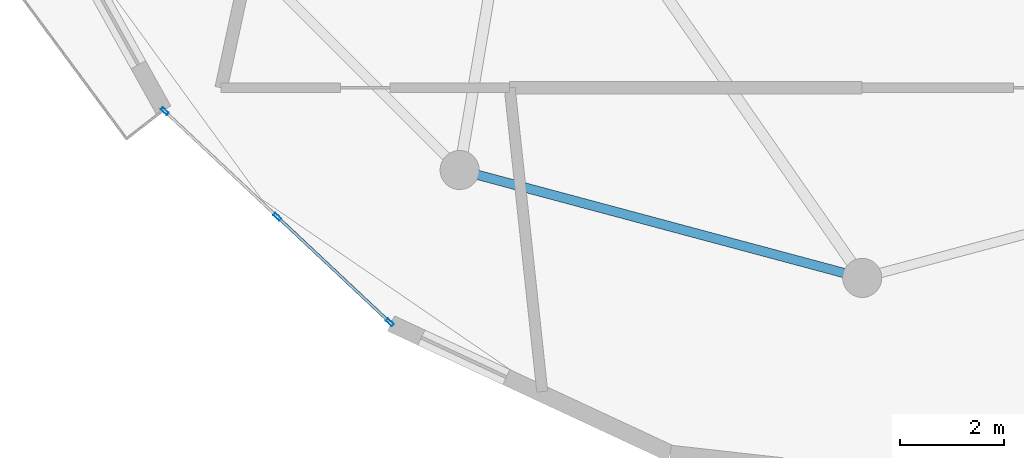
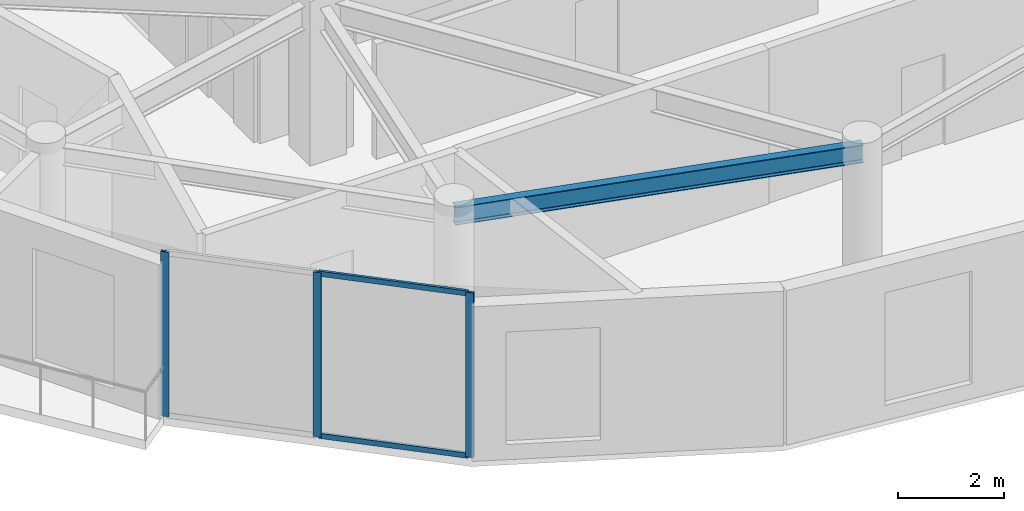
# One storey, part 2 of 15: 5 members, 1 beam, 1 element without a shape of its own.
"""IFC4 building model written with IfcOpenShell, lengths in metres."""

from ifc_helpers import new_model, si_unit, direction, frame, origin, origin_2d, place, context, subcontext, project, spatial, hollow_rectangle, i_section, extrude, source, transform, mapped, material, layer, layer_set, material_profile, profile_set, type_object, element, aggregate, save


model = new_model("IFC4")

# Units and contexts
model_context = context("Model", 3, precision=1e-05, world=origin(), true_north=direction((0.0, 1.0)))
body_context = subcontext(model_context, "Body", "Model", "MODEL_VIEW")
ifc_project = project(units=[si_unit("LENGTHUNIT", "METRE"), si_unit("AREAUNIT", "SQUARE_METRE"), si_unit("VOLUMEUNIT", "CUBIC_METRE"), si_unit("PLANEANGLEUNIT", "RADIAN"), si_unit("MASSUNIT", "GRAM", prefix="KILO")], contexts=[model_context])

# Site, building, storey
site_placement = place(None, origin())
site = spatial("IfcSite", under=ifc_project, at=site_placement, CompositionType="ELEMENT")
building_placement = place(site_placement, origin())
building = spatial("IfcBuilding", under=site, at=building_placement, Name="Solvirekh Grand Hotel", CompositionType="ELEMENT")
storey_placement = place(building_placement, frame((0.0, 0.0, 270.60009765625)))
storey = spatial("IfcBuildingStorey", under=building, at=storey_placement, Name="L70", CompositionType="ELEMENT", Elevation=270.60009765625)

# Beam
ifc_material_1 = material(Name="Steel S355", Category="steel")
ifc_material_profile_1 = material_profile(ifc_material_1, i_section(OverallWidth=0.180908203125, OverallDepth=0.4169921875, WebThickness=0.010009765625, FlangeThickness=0.01611328125, FilletRadius=0.011962890625, at=origin_2d()), Name="W410X85")
ifc_profile_set_1 = profile_set([ifc_material_profile_1], Name="Steel S355")
beam_type = type_object("IfcBeamType", Name="Spandrel_Ring_W410", PredefinedType="SPANDREL", material=ifc_profile_set_1)
beam_placement = place(storey_placement, frame((-7.72509765625, -13.3798828125, 3.36181640625), z_axis=(0.965921616143, -0.258834757072, 0.0), x_axis=(0.258834757072, 0.965921616143, 0.0)))
element("IfcBeam", 1, at=beam_placement, inside=storey, type_object=beam_type, Name="L70 perimeter spandrel beam 9", PredefinedType="SPANDREL", context=body_context, shape_type="SweptSolid", body=[
    extrude(i_section(OverallWidth=0.180908203125, OverallDepth=0.4169921875, WebThickness=0.010009765625, FlangeThickness=0.01611328125, FilletRadius=0.011962890625, at=origin_2d()), origin(), (0.0, 0.0, 1.0), 7.99755859375),
])

# Curtain wall, members
ifc_material_2 = material(Name="Anodized Bronze Aluminium 6063-T6", Category="aluminium")
ifc_layer = layer(ifc_material_2, 0.159912109375)
ifc_layer_set = layer_set([ifc_layer], Name="Anodized Bronze Aluminium 6063-T6")
curtain_wall_type = type_object("IfcCurtainWallType", Name="CW_Sys4_HighZoneFlushBronzeCW", PredefinedType="NOTDEFINED", material=ifc_layer_set)
curtain_wall_placement = place(storey_placement, origin())
curtain_wall = element("IfcCurtainWall", 2, at=curtain_wall_placement, inside=storey, type_object=curtain_wall_type, Name="L70 unitised bronze-glass curtain wall CW-L70-C18", PredefinedType="NOTDEFINED")
ifc_material_profile_2 = material_profile(ifc_material_2, hollow_rectangle(XDim=0.054931640625, YDim=0.1201171875, WallThickness=0.00390625, at=origin_2d()), Name="ALU RHS 120X55X4")
ifc_profile_set_2 = profile_set([ifc_material_profile_2], Name="Anodized Bronze Aluminium 6063-T6")
member_type_1 = type_object("IfcMemberType", Name="CWTransom_Sys4", PredefinedType="USERDEFINED", material=ifc_profile_set_2)
shared_shape_1 = source(origin(), body_context, "Body", "SweptSolid", [
    extrude(hollow_rectangle(XDim=0.054931640625, YDim=0.1201171875, WallThickness=0.00390625, at=origin_2d()), origin(), (0.0, 0.0, 1.0), 2.90234375),
])
member_1_placement = place(storey_placement, frame((-11.20263671875, -14.297607421875, 0.02734375), z_axis=(0.729413896314, -0.684072633471, 0.0), x_axis=(0.684072633471, 0.729413896314, 0.0)))
member_1 = element("IfcMember", 3, at=member_1_placement, type_object=member_type_1, Name="U04 transom 2.1", ObjectType="TRANSOM", PredefinedType="USERDEFINED", context=body_context, shape_type="MappedRepresentation", body=[
    mapped(shared_shape_1, transform((0.0, 0.0, 0.0), x_axis=(1.0, 0.0, 0.0), y_axis=(0.0, 1.0, 0.0), z_axis=(0.0, 0.0, 1.0), scale=1.0)),
])
member_2_placement = place(storey_placement, frame((-11.20263671875, -14.297607421875, 3.7724609375), z_axis=(0.729413896314, -0.684072633471, 0.0), x_axis=(0.684072633471, 0.729413896314, 0.0)))
member_2 = element("IfcMember", 4, at=member_2_placement, type_object=member_type_1, Name="U04 transom 2.2", ObjectType="TRANSOM", PredefinedType="USERDEFINED", context=body_context, shape_type="MappedRepresentation", body=[
    mapped(shared_shape_1, transform((0.0, 0.0, 0.0), x_axis=(1.0, 0.0, 0.0), y_axis=(0.0, 1.0, 0.0), z_axis=(0.0, 0.0, 1.0), scale=1.0)),
])
ifc_material_profile_3 = material_profile(ifc_material_2, hollow_rectangle(XDim=0.06005859375, YDim=0.159912109375, WallThickness=0.0048828125, at=origin_2d()), Name="ALU RHS 160X60X5")
ifc_profile_set_3 = profile_set([ifc_material_profile_3], Name="Anodized Bronze Aluminium 6063-T6")
member_type_2 = type_object("IfcMemberType", Name="CWMullion_Sys4", PredefinedType="MULLION", material=ifc_profile_set_3)
shared_shape_2 = source(origin(), body_context, "Body", "SweptSolid", [
    extrude(hollow_rectangle(XDim=0.06005859375, YDim=0.159912109375, WallThickness=0.0048828125, at=origin_2d()), origin(), (0.0, 0.0, 1.0), 3.7998046875),
])
member_3_placement = place(storey_placement, frame((-13.385009765625, -12.25048828125, 0.0), z_axis=(0.0, 0.0, 1.0), x_axis=(0.684102305168, 0.729386067911, 0.0)))
member_3 = element("IfcMember", 5, at=member_3_placement, type_object=member_type_2, Name="U04 mullion 1", PredefinedType="MULLION", context=body_context, shape_type="MappedRepresentation", body=[
    mapped(shared_shape_2, transform((0.0, 0.0, 0.0), x_axis=(1.0, 0.0, 0.0), y_axis=(0.0, 1.0, 0.0), z_axis=(0.0, 0.0, 1.0), scale=1.0)),
])
member_4_placement = place(storey_placement, frame((-11.224609375, -14.277099609375, 0.0), z_axis=(0.0, 0.0, 1.0), x_axis=(0.684102305168, 0.729386067911, 0.0)))
member_4 = element("IfcMember", 6, at=member_4_placement, type_object=member_type_2, Name="U04 mullion 2", PredefinedType="MULLION", context=body_context, shape_type="MappedRepresentation", body=[
    mapped(shared_shape_2, transform((0.0, 0.0, 0.0), x_axis=(1.0, 0.0, 0.0), y_axis=(0.0, 1.0, 0.0), z_axis=(0.0, 0.0, 1.0), scale=1.0)),
])
member_5_placement = place(storey_placement, frame((-9.06396484375, -16.303466796875, 0.0), z_axis=(0.0, 0.0, 1.0), x_axis=(0.684102305168, 0.729386067911, 0.0)))
member_5 = element("IfcMember", 7, at=member_5_placement, type_object=member_type_2, Name="U04 mullion 3", PredefinedType="MULLION", context=body_context, shape_type="MappedRepresentation", body=[
    mapped(shared_shape_2, transform((0.0, 0.0, 0.0), x_axis=(1.0, 0.0, 0.0), y_axis=(0.0, 1.0, 0.0), z_axis=(0.0, 0.0, 1.0), scale=1.0)),
])
aggregate(curtain_wall, [member_3, member_4, member_5, member_1, member_2])

save(model, "model.ifc")
